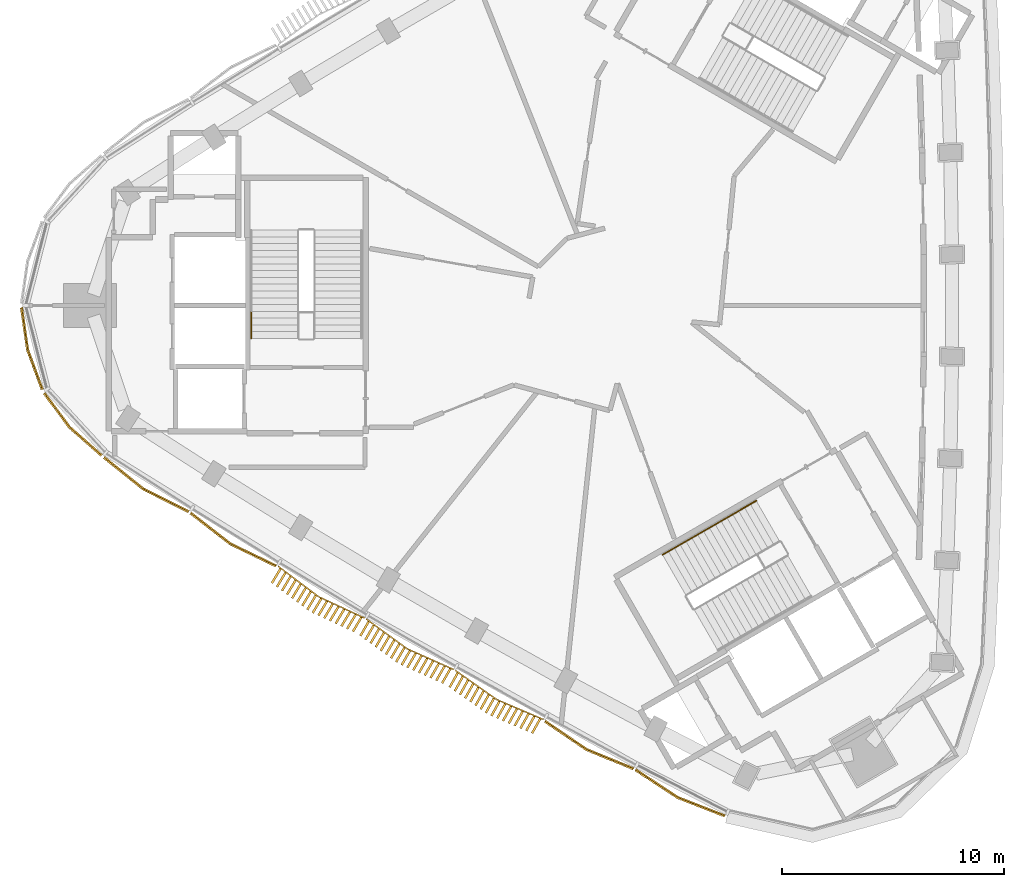
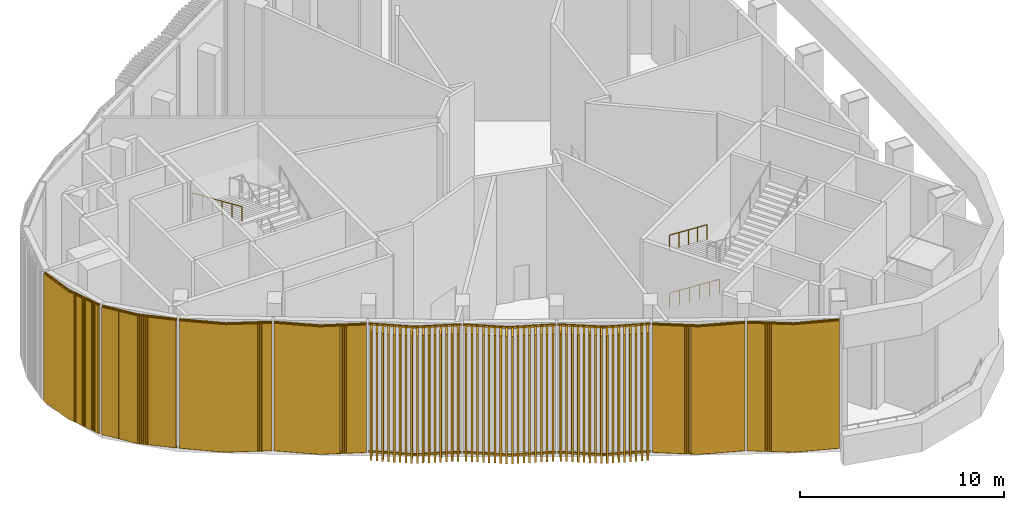
# One storey, part 7 of 11: 9 coverings, 3 railings.
"""IFC4 building model written with IfcOpenShell, lengths in metres."""

from ifc_helpers import new_model, si_unit, direction, frame, frame_2d, origin, origin_2d, place, context, subcontext, project, spatial, rectangle, circle, extrude, source, transform, mapped, material, type_object, element, save


model = new_model("IFC4")

# Units and contexts
model_context = context("Model", 3, precision=1e-05, world=origin(), true_north=direction((0.0, 1.0)))
body_context = subcontext(model_context, "Body", "Model", "MODEL_VIEW")
ifc_project = project(units=[si_unit("LENGTHUNIT", "METRE"), si_unit("AREAUNIT", "SQUARE_METRE"), si_unit("VOLUMEUNIT", "CUBIC_METRE"), si_unit("PLANEANGLEUNIT", "RADIAN"), si_unit("MASSUNIT", "GRAM", prefix="KILO")], contexts=[model_context])

# Site, building, storey
site_placement = place(None, origin())
site = spatial("IfcSite", under=ifc_project, at=site_placement, CompositionType="ELEMENT")
building_placement = place(site_placement, origin())
building = spatial("IfcBuilding", under=site, at=building_placement, Name="Tamra Quay Hotel Tower", CompositionType="ELEMENT")
storey_placement = place(building_placement, frame((0.0, 0.0, 312.60009765625)))
storey = spatial("IfcBuildingStorey", under=building, at=storey_placement, Name="L78", CompositionType="ELEMENT", Elevation=312.60009765625)

# Railings
ifc_material_1 = material(Name="Stair handrail 900")
railing_type = type_object("IfcRailingType", Name="Stair handrail 900", PredefinedType="HANDRAIL", material=ifc_material_1)
railing_1_placement = place(storey_placement, frame((-15.9912109375, 3.39990234375, 5.866455078125)))
element("IfcRailing", 1, at=railing_1_placement, inside=storey, type_object=railing_type, Name="HR", PredefinedType="HANDRAIL", context=body_context, shape_type="SweptSolid", body=[
    extrude(circle(Radius=0.02392578125, at=origin_2d()), frame((0.0, 0.0, 0.8759765625), z_axis=(0.0, -0.916254098664, 0.400597586964), x_axis=(1.0, 0.0, 0.0)), (0.0, 0.0, 1.0), 5.325927734375),
    extrude(circle(Radius=0.02099609375, at=origin_2d()), origin(), (0.0, 0.0, 1.0), 0.851806640625),
    extrude(circle(Radius=0.02099609375, at=origin_2d()), frame((0.0, -0.97607421875, 0.4267578125)), (0.0, 0.0, 1.0), 0.851806640625),
    extrude(circle(Radius=0.02099609375, at=origin_2d()), frame((0.0, -1.951904296875, 0.853515625)), (0.0, 0.0, 1.0), 0.851806640625),
    extrude(circle(Radius=0.02099609375, at=origin_2d()), frame((0.0, -2.927978515625, 1.280029296875)), (0.0, 0.0, 1.0), 0.851806640625),
    extrude(circle(Radius=0.02099609375, at=origin_2d()), frame((0.0, -3.90380859375, 1.706787109375)), (0.0, 0.0, 1.0), 0.851806640625),
    extrude(circle(Radius=0.02099609375, at=origin_2d()), frame((0.0, -4.8798828125, 2.133544921875)), (0.0, 0.0, 1.0), 0.851806640625),
])
railing_2_placement = place(storey_placement, frame((6.7978515625, -8.814208984375, 0.13330078125)))
element("IfcRailing", 2, at=railing_2_placement, inside=storey, type_object=railing_type, Name="HR", PredefinedType="HANDRAIL", context=body_context, shape_type="SweptSolid", body=[
    extrude(circle(Radius=0.02392578125, at=origin_2d()), frame((0.0, 0.0, 0.8759765625), z_axis=(-0.793511931334, -0.458137391205, 0.400560788908), x_axis=(0.500002508028, -0.866023955769, 0.0)), (0.0, 0.0, 1.0), 5.32568359375),
    extrude(circle(Radius=0.02099609375, at=origin_2d()), origin(), (0.0, 0.0, 1.0), 0.851806640625),
    extrude(circle(Radius=0.02099609375, at=origin_2d()), frame((-0.84521484375, -0.488037109375, 0.4267578125)), (0.0, 0.0, 1.0), 0.851806640625),
    extrude(circle(Radius=0.02099609375, at=origin_2d()), frame((-1.6904296875, -0.97607421875, 0.853271484375)), (0.0, 0.0, 1.0), 0.851806640625),
    extrude(circle(Radius=0.02099609375, at=origin_2d()), frame((-2.53564453125, -1.4638671875, 1.280029296875)), (0.0, 0.0, 1.0), 0.851806640625),
    extrude(circle(Radius=0.02099609375, at=origin_2d()), frame((-3.380859375, -1.951904296875, 1.70654296875)), (0.0, 0.0, 1.0), 0.851806640625),
    extrude(circle(Radius=0.02099609375, at=origin_2d()), frame((-4.22607421875, -2.43994140625, 2.13330078125)), (0.0, 0.0, 1.0), 0.851806640625),
])
railing_3_placement = place(storey_placement, frame((5.741455078125, -9.424072265625, 4.13330078125)))
element("IfcRailing", 3, at=railing_3_placement, inside=storey, type_object=railing_type, Name="HR", PredefinedType="HANDRAIL", context=body_context, shape_type="SweptSolid", body=[
    extrude(circle(Radius=0.02392578125, at=origin_2d()), frame((0.0, 0.0, 0.8759765625), z_axis=(-0.793521851839, -0.458156034922, 0.400519810144), x_axis=(0.500013080017, -0.866017851902, 0.0)), (0.0, 0.0, 1.0), 3.994384765625),
    extrude(circle(Radius=0.02099609375, at=origin_2d()), origin(), (0.0, 0.0, 1.0), 0.851806640625),
    extrude(circle(Radius=0.02099609375, at=origin_2d()), frame((-0.79248046875, -0.45751953125, 0.39990234375)), (0.0, 0.0, 1.0), 0.851806640625),
    extrude(circle(Radius=0.02099609375, at=origin_2d()), frame((-1.5849609375, -0.9150390625, 0.7998046875)), (0.0, 0.0, 1.0), 0.851806640625),
    extrude(circle(Radius=0.02099609375, at=origin_2d()), frame((-2.377197265625, -1.37255859375, 1.199951171875)), (0.0, 0.0, 1.0), 0.851806640625),
    extrude(circle(Radius=0.02099609375, at=origin_2d()), frame((-3.169677734375, -1.830078125, 1.599853515625)), (0.0, 0.0, 1.0), 0.851806640625),
])

# Coverings
ifc_material_2 = material(Name="Terracotta baguette extruded", Category="masonry")
covering_type_1 = type_object("IfcCoveringType", Name="BAGUETTE SCREEN CORNER-SHALLOW H7750", PredefinedType="USERDEFINED", material=ifc_material_2)
shared_shape_1 = source(origin(), body_context, "Body", "SweptSolid", [
    extrude(rectangle(XDim=1.923095703125, YDim=0.06005859375, at=frame_2d((0.96142578125, 0.030029296875))), frame((-1.918701171875, -0.0576171875, -0.1201171875), z_axis=(0.0, 0.0, 1.0), x_axis=(0.994521895368, -0.104528463268, 0.0)), (0.0, 0.0, 1.0), 0.1201171875),
    extrude(rectangle(XDim=1.923095703125, YDim=0.06005859375, at=frame_2d((0.96142578125, 0.030029296875))), frame((-1.918701171875, -0.0576171875, -7.75), z_axis=(0.0, 0.0, 1.0), x_axis=(0.994521895368, -0.104528463268, 0.0)), (0.0, 0.0, 1.0), 0.1201171875),
    extrude(rectangle(XDim=0.094970703125, YDim=0.10009765625, at=frame_2d((0.04736328125, 0.050048828125))), frame((-1.90966796875, -0.13330078125, -7.68994140625)), (0.0, 0.0, 1.0), 7.6298828125),
    extrude(rectangle(XDim=0.094970703125, YDim=0.10009765625, at=frame_2d((0.04736328125, 0.050048828125))), frame((-1.80908203125, -0.143798828125, -7.68994140625)), (0.0, 0.0, 1.0), 7.6298828125),
    extrude(rectangle(XDim=0.094970703125, YDim=0.10009765625, at=frame_2d((0.04736328125, 0.050048828125))), frame((-1.708251953125, -0.154541015625, -7.68994140625)), (0.0, 0.0, 1.0), 7.6298828125),
    extrude(rectangle(XDim=0.094970703125, YDim=0.10009765625, at=frame_2d((0.04736328125, 0.050048828125))), frame((-1.607666015625, -0.1650390625, -7.68994140625)), (0.0, 0.0, 1.0), 7.6298828125),
    extrude(rectangle(XDim=0.094970703125, YDim=0.10009765625, at=frame_2d((0.04736328125, 0.050048828125))), frame((-1.507080078125, -0.175537109375, -7.68994140625)), (0.0, 0.0, 1.0), 7.6298828125),
    extrude(rectangle(XDim=0.094970703125, YDim=0.10009765625, at=frame_2d((0.04736328125, 0.050048828125))), frame((-1.406494140625, -0.186279296875, -7.68994140625)), (0.0, 0.0, 1.0), 7.6298828125),
    extrude(rectangle(XDim=0.094970703125, YDim=0.10009765625, at=frame_2d((0.04736328125, 0.050048828125))), frame((-1.3056640625, -0.19677734375, -7.68994140625)), (0.0, 0.0, 1.0), 7.6298828125),
    extrude(rectangle(XDim=0.094970703125, YDim=0.10009765625, at=frame_2d((0.04736328125, 0.050048828125))), frame((-1.205078125, -0.207275390625, -7.68994140625)), (0.0, 0.0, 1.0), 7.6298828125),
    extrude(rectangle(XDim=0.094970703125, YDim=0.10009765625, at=frame_2d((0.04736328125, 0.050048828125))), frame((-1.1044921875, -0.218017578125, -7.68994140625)), (0.0, 0.0, 1.0), 7.6298828125),
    extrude(rectangle(XDim=0.094970703125, YDim=0.10009765625, at=frame_2d((0.04736328125, 0.050048828125))), frame((-1.003662109375, -0.228515625, -7.68994140625)), (0.0, 0.0, 1.0), 7.6298828125),
    extrude(rectangle(XDim=0.094970703125, YDim=0.10009765625, at=frame_2d((0.04736328125, 0.050048828125))), frame((-0.903076171875, -0.239013671875, -7.68994140625)), (0.0, 0.0, 1.0), 7.6298828125),
    extrude(rectangle(XDim=0.094970703125, YDim=0.10009765625, at=frame_2d((0.04736328125, 0.050048828125))), frame((-0.802490234375, -0.249755859375, -7.68994140625)), (0.0, 0.0, 1.0), 7.6298828125),
    extrude(rectangle(XDim=0.094970703125, YDim=0.10009765625, at=frame_2d((0.04736328125, 0.050048828125))), frame((-0.70166015625, -0.26025390625, -7.68994140625)), (0.0, 0.0, 1.0), 7.6298828125),
    extrude(rectangle(XDim=0.094970703125, YDim=0.10009765625, at=frame_2d((0.04736328125, 0.050048828125))), frame((-0.60107421875, -0.270751953125, -7.68994140625)), (0.0, 0.0, 1.0), 7.6298828125),
    extrude(rectangle(XDim=0.094970703125, YDim=0.10009765625, at=frame_2d((0.04736328125, 0.050048828125))), frame((-0.50048828125, -0.281494140625, -7.68994140625)), (0.0, 0.0, 1.0), 7.6298828125),
    extrude(rectangle(XDim=0.094970703125, YDim=0.10009765625, at=frame_2d((0.04736328125, 0.050048828125))), frame((-0.39990234375, -0.2919921875, -7.68994140625)), (0.0, 0.0, 1.0), 7.6298828125),
    extrude(rectangle(XDim=0.094970703125, YDim=0.10009765625, at=frame_2d((0.04736328125, 0.050048828125))), frame((-0.299072265625, -0.302490234375, -7.68994140625)), (0.0, 0.0, 1.0), 7.6298828125),
    extrude(rectangle(XDim=0.094970703125, YDim=0.10009765625, at=frame_2d((0.04736328125, 0.050048828125))), frame((-0.198486328125, -0.313232421875, -7.68994140625)), (0.0, 0.0, 1.0), 7.6298828125),
    extrude(rectangle(XDim=0.094970703125, YDim=0.10009765625, at=frame_2d((0.04736328125, 0.050048828125))), frame((-0.097900390625, -0.32373046875, -7.68994140625)), (0.0, 0.0, 1.0), 7.6298828125),
    extrude(rectangle(XDim=1.923095703125, YDim=0.06005859375, at=frame_2d((0.96142578125, 0.030029296875))), frame((0.00634765625, -0.2587890625, -0.1201171875), z_axis=(0.0, 0.0, 1.0), x_axis=(0.994521895368, 0.104528463268, 0.0)), (0.0, 0.0, 1.0), 0.1201171875),
    extrude(rectangle(XDim=1.923095703125, YDim=0.06005859375, at=frame_2d((0.96142578125, 0.030029296875))), frame((0.00634765625, -0.2587890625, -7.75), z_axis=(0.0, 0.0, 1.0), x_axis=(0.994521895368, 0.104528463268, 0.0)), (0.0, 0.0, 1.0), 0.1201171875),
    extrude(rectangle(XDim=0.094970703125, YDim=0.10009765625, at=frame_2d((0.04736328125, 0.050048828125))), frame((0.0029296875, -0.32373046875, -7.68994140625)), (0.0, 0.0, 1.0), 7.6298828125),
    extrude(rectangle(XDim=0.094970703125, YDim=0.10009765625, at=frame_2d((0.04736328125, 0.050048828125))), frame((0.103515625, -0.313232421875, -7.68994140625)), (0.0, 0.0, 1.0), 7.6298828125),
    extrude(rectangle(XDim=0.094970703125, YDim=0.10009765625, at=frame_2d((0.04736328125, 0.050048828125))), frame((0.2041015625, -0.302490234375, -7.68994140625)), (0.0, 0.0, 1.0), 7.6298828125),
    extrude(rectangle(XDim=0.094970703125, YDim=0.10009765625, at=frame_2d((0.04736328125, 0.050048828125))), frame((0.3046875, -0.2919921875, -7.68994140625)), (0.0, 0.0, 1.0), 7.6298828125),
    extrude(rectangle(XDim=0.094970703125, YDim=0.10009765625, at=frame_2d((0.04736328125, 0.050048828125))), frame((0.405517578125, -0.281494140625, -7.68994140625)), (0.0, 0.0, 1.0), 7.6298828125),
    extrude(rectangle(XDim=0.094970703125, YDim=0.10009765625, at=frame_2d((0.04736328125, 0.050048828125))), frame((0.506103515625, -0.270751953125, -7.68994140625)), (0.0, 0.0, 1.0), 7.6298828125),
    extrude(rectangle(XDim=0.094970703125, YDim=0.10009765625, at=frame_2d((0.04736328125, 0.050048828125))), frame((0.606689453125, -0.26025390625, -7.68994140625)), (0.0, 0.0, 1.0), 7.6298828125),
    extrude(rectangle(XDim=0.094970703125, YDim=0.10009765625, at=frame_2d((0.04736328125, 0.050048828125))), frame((0.70751953125, -0.249755859375, -7.68994140625)), (0.0, 0.0, 1.0), 7.6298828125),
    extrude(rectangle(XDim=0.094970703125, YDim=0.10009765625, at=frame_2d((0.04736328125, 0.050048828125))), frame((0.80810546875, -0.239013671875, -7.68994140625)), (0.0, 0.0, 1.0), 7.6298828125),
    extrude(rectangle(XDim=0.094970703125, YDim=0.10009765625, at=frame_2d((0.04736328125, 0.050048828125))), frame((0.90869140625, -0.228515625, -7.68994140625)), (0.0, 0.0, 1.0), 7.6298828125),
    extrude(rectangle(XDim=0.094970703125, YDim=0.10009765625, at=frame_2d((0.04736328125, 0.050048828125))), frame((1.009521484375, -0.218017578125, -7.68994140625)), (0.0, 0.0, 1.0), 7.6298828125),
    extrude(rectangle(XDim=0.094970703125, YDim=0.10009765625, at=frame_2d((0.04736328125, 0.050048828125))), frame((1.110107421875, -0.207275390625, -7.68994140625)), (0.0, 0.0, 1.0), 7.6298828125),
    extrude(rectangle(XDim=0.094970703125, YDim=0.10009765625, at=frame_2d((0.04736328125, 0.050048828125))), frame((1.210693359375, -0.19677734375, -7.68994140625)), (0.0, 0.0, 1.0), 7.6298828125),
    extrude(rectangle(XDim=0.094970703125, YDim=0.10009765625, at=frame_2d((0.04736328125, 0.050048828125))), frame((1.311279296875, -0.186279296875, -7.68994140625)), (0.0, 0.0, 1.0), 7.6298828125),
    extrude(rectangle(XDim=0.094970703125, YDim=0.10009765625, at=frame_2d((0.04736328125, 0.050048828125))), frame((1.412109375, -0.175537109375, -7.68994140625)), (0.0, 0.0, 1.0), 7.6298828125),
    extrude(rectangle(XDim=0.094970703125, YDim=0.10009765625, at=frame_2d((0.04736328125, 0.050048828125))), frame((1.5126953125, -0.1650390625, -7.68994140625)), (0.0, 0.0, 1.0), 7.6298828125),
    extrude(rectangle(XDim=0.094970703125, YDim=0.10009765625, at=frame_2d((0.04736328125, 0.050048828125))), frame((1.61328125, -0.154541015625, -7.68994140625)), (0.0, 0.0, 1.0), 7.6298828125),
    extrude(rectangle(XDim=0.094970703125, YDim=0.10009765625, at=frame_2d((0.04736328125, 0.050048828125))), frame((1.714111328125, -0.143798828125, -7.68994140625)), (0.0, 0.0, 1.0), 7.6298828125),
    extrude(rectangle(XDim=0.094970703125, YDim=0.10009765625, at=frame_2d((0.04736328125, 0.050048828125))), frame((1.814697265625, -0.13330078125, -7.68994140625)), (0.0, 0.0, 1.0), 7.6298828125),
])
for number, where, z_axis, x_axis, name in (
    (4, (-25.837646484375, -1.928466796875, 7.75), (0.0, 0.0, 1.0), (0.245526933255, -0.969389769415, 0.0), "Baguette screen L78.NW.c09"),
    (5, (-24.00146484375, -5.320556640625, 7.75), (0.0, 0.0, 1.0), (0.67737593284, -0.735637033875, 0.0), "Baguette screen L78.NW.c10"),
):
    element("IfcCovering", number, at=place(storey_placement, frame(where, z_axis=z_axis, x_axis=x_axis)), inside=storey, type_object=covering_type_1, Name=name, ObjectType="BAGUETTE SCREEN", PredefinedType="USERDEFINED", context=body_context, shape_type="MappedRepresentation", body=[
        mapped(shared_shape_1, transform((0.0, 0.0, 0.0), scale=1.0)),
    ])
covering_type_2 = type_object("IfcCoveringType", Name="BAGUETTE SCREEN SW-SHALLOW H7750", PredefinedType="USERDEFINED", material=ifc_material_2)
shared_shape_2 = source(origin(), body_context, "Body", "SweptSolid", [
    extrude(rectangle(XDim=2.284912109375, YDim=0.06005859375, at=frame_2d((1.142578125, 0.030029296875))), frame((-2.27880859375, -0.0576171875, -0.1201171875), z_axis=(0.0, 0.0, 1.0), x_axis=(0.994521895368, -0.104528463268, 0.0)), (0.0, 0.0, 1.0), 0.1201171875),
    extrude(rectangle(XDim=2.284912109375, YDim=0.06005859375, at=frame_2d((1.142578125, 0.030029296875))), frame((-2.27880859375, -0.0576171875, -7.75), z_axis=(0.0, 0.0, 1.0), x_axis=(0.994521895368, -0.104528463268, 0.0)), (0.0, 0.0, 1.0), 0.1201171875),
    extrude(rectangle(XDim=0.094970703125, YDim=0.10009765625, at=frame_2d((0.04736328125, 0.050048828125))), frame((-2.2705078125, -0.13330078125, -7.68994140625)), (0.0, 0.0, 1.0), 7.6298828125),
    extrude(rectangle(XDim=0.094970703125, YDim=0.10009765625, at=frame_2d((0.04736328125, 0.050048828125))), frame((-2.171875, -0.1435546875, -7.68994140625)), (0.0, 0.0, 1.0), 7.6298828125),
    extrude(rectangle(XDim=0.094970703125, YDim=0.10009765625, at=frame_2d((0.04736328125, 0.050048828125))), frame((-2.072998046875, -0.154052734375, -7.68994140625)), (0.0, 0.0, 1.0), 7.6298828125),
    extrude(rectangle(XDim=0.094970703125, YDim=0.10009765625, at=frame_2d((0.04736328125, 0.050048828125))), frame((-1.97412109375, -0.164306640625, -7.68994140625)), (0.0, 0.0, 1.0), 7.6298828125),
    extrude(rectangle(XDim=0.094970703125, YDim=0.10009765625, at=frame_2d((0.04736328125, 0.050048828125))), frame((-1.87548828125, -0.1748046875, -7.68994140625)), (0.0, 0.0, 1.0), 7.6298828125),
    extrude(rectangle(XDim=0.094970703125, YDim=0.10009765625, at=frame_2d((0.04736328125, 0.050048828125))), frame((-1.776611328125, -0.18505859375, -7.68994140625)), (0.0, 0.0, 1.0), 7.6298828125),
    extrude(rectangle(XDim=0.094970703125, YDim=0.10009765625, at=frame_2d((0.04736328125, 0.050048828125))), frame((-1.677734375, -0.195556640625, -7.68994140625)), (0.0, 0.0, 1.0), 7.6298828125),
    extrude(rectangle(XDim=0.094970703125, YDim=0.10009765625, at=frame_2d((0.04736328125, 0.050048828125))), frame((-1.578857421875, -0.205810546875, -7.68994140625)), (0.0, 0.0, 1.0), 7.6298828125),
    extrude(rectangle(XDim=0.094970703125, YDim=0.10009765625, at=frame_2d((0.04736328125, 0.050048828125))), frame((-1.480224609375, -0.21630859375, -7.68994140625)), (0.0, 0.0, 1.0), 7.6298828125),
    extrude(rectangle(XDim=0.094970703125, YDim=0.10009765625, at=frame_2d((0.04736328125, 0.050048828125))), frame((-1.38134765625, -0.2265625, -7.68994140625)), (0.0, 0.0, 1.0), 7.6298828125),
    extrude(rectangle(XDim=0.094970703125, YDim=0.10009765625, at=frame_2d((0.04736328125, 0.050048828125))), frame((-1.282470703125, -0.237060546875, -7.68994140625)), (0.0, 0.0, 1.0), 7.6298828125),
    extrude(rectangle(XDim=0.094970703125, YDim=0.10009765625, at=frame_2d((0.04736328125, 0.050048828125))), frame((-1.183837890625, -0.247314453125, -7.68994140625)), (0.0, 0.0, 1.0), 7.6298828125),
    extrude(rectangle(XDim=0.094970703125, YDim=0.10009765625, at=frame_2d((0.04736328125, 0.050048828125))), frame((-1.0849609375, -0.2578125, -7.68994140625)), (0.0, 0.0, 1.0), 7.6298828125),
    extrude(rectangle(XDim=0.094970703125, YDim=0.10009765625, at=frame_2d((0.04736328125, 0.050048828125))), frame((-0.986083984375, -0.268310546875, -7.68994140625)), (0.0, 0.0, 1.0), 7.6298828125),
    extrude(rectangle(XDim=0.094970703125, YDim=0.10009765625, at=frame_2d((0.04736328125, 0.050048828125))), frame((-0.887451171875, -0.278564453125, -7.68994140625)), (0.0, 0.0, 1.0), 7.6298828125),
    extrude(rectangle(XDim=0.094970703125, YDim=0.10009765625, at=frame_2d((0.04736328125, 0.050048828125))), frame((-0.78857421875, -0.2890625, -7.68994140625)), (0.0, 0.0, 1.0), 7.6298828125),
    extrude(rectangle(XDim=0.094970703125, YDim=0.10009765625, at=frame_2d((0.04736328125, 0.050048828125))), frame((-0.689697265625, -0.29931640625, -7.68994140625)), (0.0, 0.0, 1.0), 7.6298828125),
    extrude(rectangle(XDim=0.094970703125, YDim=0.10009765625, at=frame_2d((0.04736328125, 0.050048828125))), frame((-0.5908203125, -0.309814453125, -7.68994140625)), (0.0, 0.0, 1.0), 7.6298828125),
    extrude(rectangle(XDim=0.094970703125, YDim=0.10009765625, at=frame_2d((0.04736328125, 0.050048828125))), frame((-0.4921875, -0.320068359375, -7.68994140625)), (0.0, 0.0, 1.0), 7.6298828125),
    extrude(rectangle(XDim=0.094970703125, YDim=0.10009765625, at=frame_2d((0.04736328125, 0.050048828125))), frame((-0.393310546875, -0.33056640625, -7.68994140625)), (0.0, 0.0, 1.0), 7.6298828125),
    extrude(rectangle(XDim=0.094970703125, YDim=0.10009765625, at=frame_2d((0.04736328125, 0.050048828125))), frame((-0.29443359375, -0.3408203125, -7.68994140625)), (0.0, 0.0, 1.0), 7.6298828125),
    extrude(rectangle(XDim=0.094970703125, YDim=0.10009765625, at=frame_2d((0.04736328125, 0.050048828125))), frame((-0.19580078125, -0.351318359375, -7.68994140625)), (0.0, 0.0, 1.0), 7.6298828125),
    extrude(rectangle(XDim=0.094970703125, YDim=0.10009765625, at=frame_2d((0.04736328125, 0.050048828125))), frame((-0.096923828125, -0.361572265625, -7.68994140625)), (0.0, 0.0, 1.0), 7.6298828125),
    extrude(rectangle(XDim=2.284912109375, YDim=0.06005859375, at=frame_2d((1.142578125, 0.030029296875))), frame((0.00634765625, -0.296630859375, -0.1201171875), z_axis=(0.0, 0.0, 1.0), x_axis=(0.994521895368, 0.104528463268, 0.0)), (0.0, 0.0, 1.0), 0.1201171875),
    extrude(rectangle(XDim=2.284912109375, YDim=0.06005859375, at=frame_2d((1.142578125, 0.030029296875))), frame((0.00634765625, -0.296630859375, -7.75), z_axis=(0.0, 0.0, 1.0), x_axis=(0.994521895368, 0.104528463268, 0.0)), (0.0, 0.0, 1.0), 0.1201171875),
    extrude(rectangle(XDim=0.094970703125, YDim=0.10009765625, at=frame_2d((0.04736328125, 0.050048828125))), frame((0.001953125, -0.361572265625, -7.68994140625)), (0.0, 0.0, 1.0), 7.6298828125),
    extrude(rectangle(XDim=0.094970703125, YDim=0.10009765625, at=frame_2d((0.04736328125, 0.050048828125))), frame((0.100830078125, -0.351318359375, -7.68994140625)), (0.0, 0.0, 1.0), 7.6298828125),
    extrude(rectangle(XDim=0.094970703125, YDim=0.10009765625, at=frame_2d((0.04736328125, 0.050048828125))), frame((0.199462890625, -0.3408203125, -7.68994140625)), (0.0, 0.0, 1.0), 7.6298828125),
    extrude(rectangle(XDim=0.094970703125, YDim=0.10009765625, at=frame_2d((0.04736328125, 0.050048828125))), frame((0.29833984375, -0.33056640625, -7.68994140625)), (0.0, 0.0, 1.0), 7.6298828125),
    extrude(rectangle(XDim=0.094970703125, YDim=0.10009765625, at=frame_2d((0.04736328125, 0.050048828125))), frame((0.397216796875, -0.320068359375, -7.68994140625)), (0.0, 0.0, 1.0), 7.6298828125),
    extrude(rectangle(XDim=0.094970703125, YDim=0.10009765625, at=frame_2d((0.04736328125, 0.050048828125))), frame((0.495849609375, -0.309814453125, -7.68994140625)), (0.0, 0.0, 1.0), 7.6298828125),
    extrude(rectangle(XDim=0.094970703125, YDim=0.10009765625, at=frame_2d((0.04736328125, 0.050048828125))), frame((0.5947265625, -0.29931640625, -7.68994140625)), (0.0, 0.0, 1.0), 7.6298828125),
    extrude(rectangle(XDim=0.094970703125, YDim=0.10009765625, at=frame_2d((0.04736328125, 0.050048828125))), frame((0.693603515625, -0.2890625, -7.68994140625)), (0.0, 0.0, 1.0), 7.6298828125),
    extrude(rectangle(XDim=0.094970703125, YDim=0.10009765625, at=frame_2d((0.04736328125, 0.050048828125))), frame((0.792236328125, -0.278564453125, -7.68994140625)), (0.0, 0.0, 1.0), 7.6298828125),
    extrude(rectangle(XDim=0.094970703125, YDim=0.10009765625, at=frame_2d((0.04736328125, 0.050048828125))), frame((0.89111328125, -0.268310546875, -7.68994140625)), (0.0, 0.0, 1.0), 7.6298828125),
    extrude(rectangle(XDim=0.094970703125, YDim=0.10009765625, at=frame_2d((0.04736328125, 0.050048828125))), frame((0.989990234375, -0.2578125, -7.68994140625)), (0.0, 0.0, 1.0), 7.6298828125),
    extrude(rectangle(XDim=0.094970703125, YDim=0.10009765625, at=frame_2d((0.04736328125, 0.050048828125))), frame((1.0888671875, -0.247314453125, -7.68994140625)), (0.0, 0.0, 1.0), 7.6298828125),
    extrude(rectangle(XDim=0.094970703125, YDim=0.10009765625, at=frame_2d((0.04736328125, 0.050048828125))), frame((1.1875, -0.237060546875, -7.68994140625)), (0.0, 0.0, 1.0), 7.6298828125),
    extrude(rectangle(XDim=0.094970703125, YDim=0.10009765625, at=frame_2d((0.04736328125, 0.050048828125))), frame((1.286376953125, -0.2265625, -7.68994140625)), (0.0, 0.0, 1.0), 7.6298828125),
    extrude(rectangle(XDim=0.094970703125, YDim=0.10009765625, at=frame_2d((0.04736328125, 0.050048828125))), frame((1.38525390625, -0.21630859375, -7.68994140625)), (0.0, 0.0, 1.0), 7.6298828125),
    extrude(rectangle(XDim=0.094970703125, YDim=0.10009765625, at=frame_2d((0.04736328125, 0.050048828125))), frame((1.48388671875, -0.205810546875, -7.68994140625)), (0.0, 0.0, 1.0), 7.6298828125),
    extrude(rectangle(XDim=0.094970703125, YDim=0.10009765625, at=frame_2d((0.04736328125, 0.050048828125))), frame((1.582763671875, -0.195556640625, -7.68994140625)), (0.0, 0.0, 1.0), 7.6298828125),
    extrude(rectangle(XDim=0.094970703125, YDim=0.10009765625, at=frame_2d((0.04736328125, 0.050048828125))), frame((1.681640625, -0.18505859375, -7.68994140625)), (0.0, 0.0, 1.0), 7.6298828125),
    extrude(rectangle(XDim=0.094970703125, YDim=0.10009765625, at=frame_2d((0.04736328125, 0.050048828125))), frame((1.7802734375, -0.1748046875, -7.68994140625)), (0.0, 0.0, 1.0), 7.6298828125),
    extrude(rectangle(XDim=0.094970703125, YDim=0.10009765625, at=frame_2d((0.04736328125, 0.050048828125))), frame((1.879150390625, -0.164306640625, -7.68994140625)), (0.0, 0.0, 1.0), 7.6298828125),
    extrude(rectangle(XDim=0.094970703125, YDim=0.10009765625, at=frame_2d((0.04736328125, 0.050048828125))), frame((1.97802734375, -0.154052734375, -7.68994140625)), (0.0, 0.0, 1.0), 7.6298828125),
    extrude(rectangle(XDim=0.094970703125, YDim=0.10009765625, at=frame_2d((0.04736328125, 0.050048828125))), frame((2.076904296875, -0.1435546875, -7.68994140625)), (0.0, 0.0, 1.0), 7.6298828125),
    extrude(rectangle(XDim=0.094970703125, YDim=0.10009765625, at=frame_2d((0.04736328125, 0.050048828125))), frame((2.175537109375, -0.13330078125, -7.68994140625)), (0.0, 0.0, 1.0), 7.6298828125),
])
for number, where, z_axis, x_axis, name in (
    (6, (-20.698974609375, -8.03271484375, 7.75), (0.0, 0.0, 1.0), (0.841664991367, -0.540000039174, 0.0), "Baguette screen L78.SW.f00"),
    (7, (-16.77587890625, -10.5068359375, 7.75), (0.0, 0.0, 1.0), (0.849981761041, -0.526812116316, 0.0), "Baguette screen L78.SW.f01"),
    (8, (-0.711181640625, -19.78173828125, 7.75), (0.0, 0.0, 1.0), (0.881223556272, -0.472699739657, 0.0), "Baguette screen L78.SW.f05"),
    (9, (3.39306640625, -21.9423828125, 7.75), (0.0, 0.0, 1.0), (0.888486247653, -0.458903244412, 0.0), "Baguette screen L78.SW.f06"),
):
    element("IfcCovering", number, at=place(storey_placement, frame(where, z_axis=z_axis, x_axis=x_axis)), inside=storey, type_object=covering_type_2, Name=name, ObjectType="BAGUETTE SCREEN", PredefinedType="USERDEFINED", context=body_context, shape_type="MappedRepresentation", body=[
        mapped(shared_shape_2, transform((0.0, 0.0, 0.0), scale=1.0)),
    ])
covering_type_3 = type_object("IfcCoveringType", Name="BAGUETTE SCREEN SW-DEEP H7750", PredefinedType="USERDEFINED", material=ifc_material_2)
shared_shape_3 = source(origin(), body_context, "Body", "SweptSolid", [
    extrude(rectangle(XDim=2.284912109375, YDim=0.06005859375, at=frame_2d((1.142578125, 0.030029296875))), frame((-2.27880859375, -0.0576171875, -0.1201171875), z_axis=(0.0, 0.0, 1.0), x_axis=(0.994521895368, -0.104528463268, 0.0)), (0.0, 0.0, 1.0), 0.1201171875),
    extrude(rectangle(XDim=2.284912109375, YDim=0.06005859375, at=frame_2d((1.142578125, 0.030029296875))), frame((-2.27880859375, -0.0576171875, -7.75), z_axis=(0.0, 0.0, 1.0), x_axis=(0.994521895368, -0.104528463268, 0.0)), (0.0, 0.0, 1.0), 0.1201171875),
    extrude(rectangle(XDim=0.10009765625, YDim=0.780029296875, at=frame_2d((0.050048828125, 0.39013671875))), frame((-2.180419921875, -0.822998046875, -7.68994140625)), (0.0, 0.0, 1.0), 7.6298828125),
    extrude(rectangle(XDim=0.10009765625, YDim=0.780029296875, at=frame_2d((0.050048828125, 0.39013671875))), frame((-1.896484375, -0.852783203125, -7.68994140625)), (0.0, 0.0, 1.0), 7.6298828125),
    extrude(rectangle(XDim=0.10009765625, YDim=0.780029296875, at=frame_2d((0.050048828125, 0.39013671875))), frame((-1.6123046875, -0.882568359375, -7.68994140625)), (0.0, 0.0, 1.0), 7.6298828125),
    extrude(rectangle(XDim=0.10009765625, YDim=0.780029296875, at=frame_2d((0.050048828125, 0.39013671875))), frame((-1.328369140625, -0.91259765625, -7.68994140625)), (0.0, 0.0, 1.0), 7.6298828125),
    extrude(rectangle(XDim=0.10009765625, YDim=0.780029296875, at=frame_2d((0.050048828125, 0.39013671875))), frame((-1.044189453125, -0.9423828125, -7.68994140625)), (0.0, 0.0, 1.0), 7.6298828125),
    extrude(rectangle(XDim=0.10009765625, YDim=0.780029296875, at=frame_2d((0.050048828125, 0.39013671875))), frame((-0.76025390625, -0.97216796875, -7.68994140625)), (0.0, 0.0, 1.0), 7.6298828125),
    extrude(rectangle(XDim=0.10009765625, YDim=0.780029296875, at=frame_2d((0.050048828125, 0.39013671875))), frame((-0.47607421875, -1.001953125, -7.68994140625)), (0.0, 0.0, 1.0), 7.6298828125),
    extrude(rectangle(XDim=0.10009765625, YDim=0.780029296875, at=frame_2d((0.050048828125, 0.39013671875))), frame((-0.192138671875, -1.031982421875, -7.68994140625)), (0.0, 0.0, 1.0), 7.6298828125),
    extrude(rectangle(XDim=2.284912109375, YDim=0.06005859375, at=frame_2d((1.142578125, 0.030029296875))), frame((0.00634765625, -0.296630859375, -0.1201171875), z_axis=(0.0, 0.0, 1.0), x_axis=(0.994521895368, 0.104528463268, 0.0)), (0.0, 0.0, 1.0), 0.1201171875),
    extrude(rectangle(XDim=2.284912109375, YDim=0.06005859375, at=frame_2d((1.142578125, 0.030029296875))), frame((0.00634765625, -0.296630859375, -7.75), z_axis=(0.0, 0.0, 1.0), x_axis=(0.994521895368, 0.104528463268, 0.0)), (0.0, 0.0, 1.0), 0.1201171875),
    extrude(rectangle(XDim=0.10009765625, YDim=0.780029296875, at=frame_2d((0.050048828125, 0.39013671875))), frame((0.092041015625, -1.031982421875, -7.68994140625)), (0.0, 0.0, 1.0), 7.6298828125),
    extrude(rectangle(XDim=0.10009765625, YDim=0.780029296875, at=frame_2d((0.050048828125, 0.39013671875))), frame((0.3759765625, -1.001953125, -7.68994140625)), (0.0, 0.0, 1.0), 7.6298828125),
    extrude(rectangle(XDim=0.10009765625, YDim=0.780029296875, at=frame_2d((0.050048828125, 0.39013671875))), frame((0.66015625, -0.97216796875, -7.68994140625)), (0.0, 0.0, 1.0), 7.6298828125),
    extrude(rectangle(XDim=0.10009765625, YDim=0.780029296875, at=frame_2d((0.050048828125, 0.39013671875))), frame((0.9443359375, -0.9423828125, -7.68994140625)), (0.0, 0.0, 1.0), 7.6298828125),
    extrude(rectangle(XDim=0.10009765625, YDim=0.780029296875, at=frame_2d((0.050048828125, 0.39013671875))), frame((1.228271484375, -0.91259765625, -7.68994140625)), (0.0, 0.0, 1.0), 7.6298828125),
    extrude(rectangle(XDim=0.10009765625, YDim=0.780029296875, at=frame_2d((0.050048828125, 0.39013671875))), frame((1.512451171875, -0.882568359375, -7.68994140625)), (0.0, 0.0, 1.0), 7.6298828125),
    extrude(rectangle(XDim=0.10009765625, YDim=0.780029296875, at=frame_2d((0.050048828125, 0.39013671875))), frame((1.79638671875, -0.852783203125, -7.68994140625)), (0.0, 0.0, 1.0), 7.6298828125),
    extrude(rectangle(XDim=0.10009765625, YDim=0.780029296875, at=frame_2d((0.050048828125, 0.39013671875))), frame((2.08056640625, -0.822998046875, -7.68994140625)), (0.0, 0.0, 1.0), 7.6298828125),
])
for number, where, z_axis, x_axis, name in (
    (10, (-12.81494140625, -12.919189453125, 7.75), (0.0, 0.0, 1.0), (0.858103330016, -0.513477044292, 0.0), "Baguette screen L78.SW.f02"),
    (11, (-8.816162109375, -15.269775390625, 7.75), (0.0, 0.0, 1.0), (0.866025403784, -0.5, 0.0), "Baguette screen L78.SW.f03"),
    (12, (-4.781005859375, -17.5576171875, 7.75), (0.0, 0.0, 1.0), (0.873735829625, -0.48640076072, 0.0), "Baguette screen L78.SW.f04"),
):
    element("IfcCovering", number, at=place(storey_placement, frame(where, z_axis=z_axis, x_axis=x_axis)), inside=storey, type_object=covering_type_3, Name=name, ObjectType="BAGUETTE SCREEN", PredefinedType="USERDEFINED", context=body_context, shape_type="MappedRepresentation", body=[
        mapped(shared_shape_3, transform((0.0, 0.0, 0.0), scale=1.0)),
    ])

save(model, "model.ifc")
